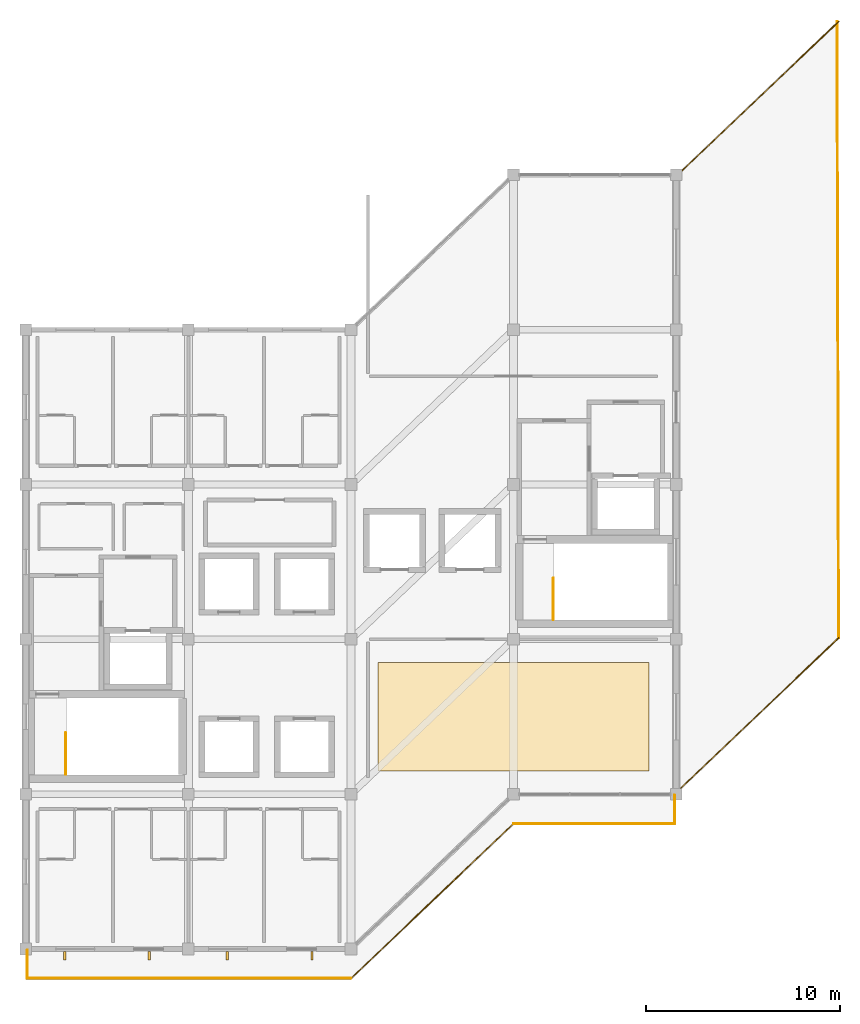
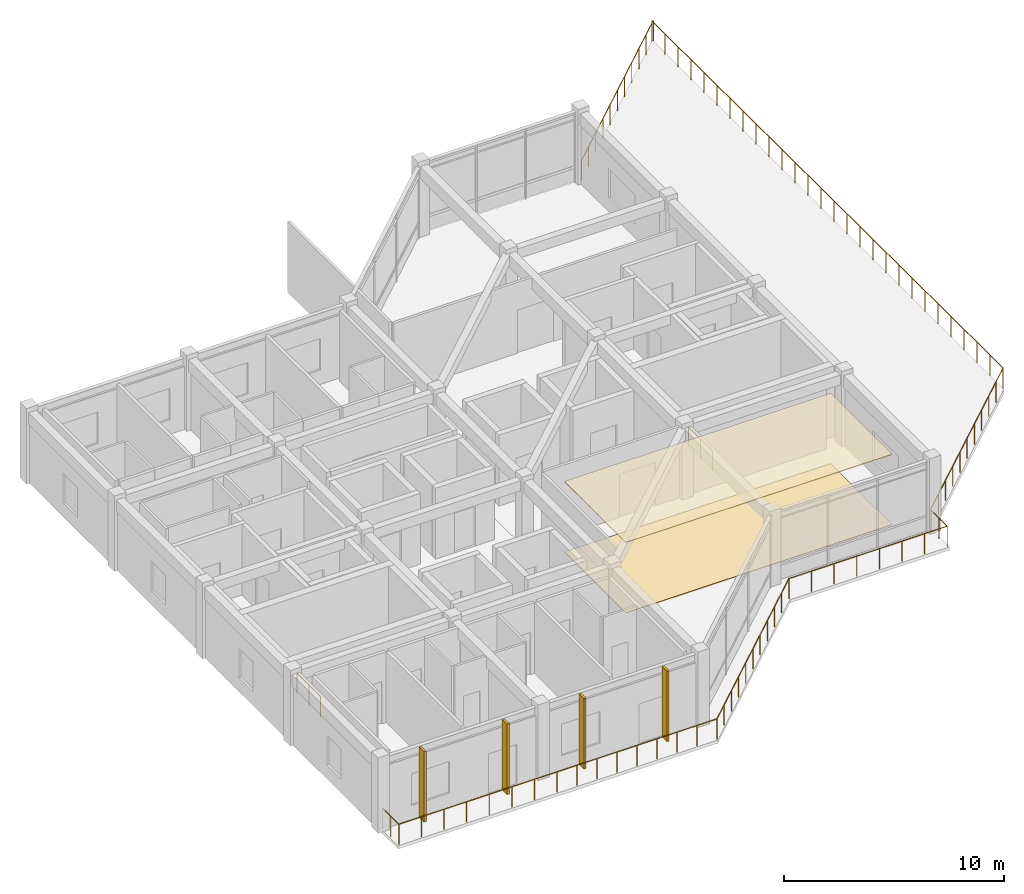
# One storey, part 11 of 11: 11 railings, 4 shading devices, 2 coverings.
"""IFC4 building model written with IfcOpenShell, lengths in metres."""

import ifcopenshell
import ifcopenshell.guid

model = None  # the IFC model being written
_history = None  # IfcOwnerHistory: only IFC2X3 demands one
_inside = {}  # id of a spatial element -> (the spatial element, [elements in it])
_under = {}  # id of a project, library or spatial element -> (it, [spatial elements below it])
_declared = {}  # id of a project -> (the project, [libraries it declares])
_typed = {}  # id of a type object -> (the type object, [elements of that type])
_made_of = {}  # id of a material, layer set ... -> (it, [elements and type objects made of it])


def new_model(schema):
    """Start an empty IFC model of exactly this schema.

    Asked for "IFC4X3", IfcOpenShell would pick the latest addendum, in which some entities
    have other attributes; the version numbers below select the first issue.
    IFC2X3 requires an IfcOwnerHistory on every rooted entity: one is made here for all.
    """
    global model, _history
    if schema == "IFC4X3":
        model = ifcopenshell.file(schema_version=(4, 3, 0, 0))
    else:
        model = ifcopenshell.file(schema=schema)
    _inside.clear()
    _under.clear()
    _declared.clear()
    _typed.clear()
    _made_of.clear()
    _history = None
    if model.schema == "IFC2X3":
        org = make("IfcOrganization", Name="unknown")
        user = make(
            "IfcPersonAndOrganization",
            ThePerson=make("IfcPerson", FamilyName="unknown"),
            TheOrganization=org,
        )
        app = make(
            "IfcApplication",
            ApplicationDeveloper=org,
            Version="unknown",
            ApplicationFullName="unknown",
            ApplicationIdentifier="unknown",
        )
        _history = make(
            "IfcOwnerHistory",
            OwningUser=user,
            OwningApplication=app,
            ChangeAction="ADDED",
            CreationDate=0,
        )
    return model


def make(cls, **values):
    """One entity of the class cls with the attributes given. An attribute that is None is left unset."""
    return model.create_entity(
        cls, **{name: value for name, value in values.items() if value is not None}
    )


def rooted(cls, **values):
    """An entity with a GlobalId (a new one), such as an element, a storey or a relation."""
    return make(cls, GlobalId=ifcopenshell.guid.new(), OwnerHistory=_history, **values)


def si_unit(unit_type, name, prefix=None):
    """IfcSIUnit, for example si_unit("LENGTHUNIT", "METRE", prefix="MILLI")."""
    return make("IfcSIUnit", UnitType=unit_type, Prefix=prefix, Name=name)


def assignment(units):
    """IfcUnitAssignment: the units of a project."""
    return None if units is None else make("IfcUnitAssignment", Units=units)


def point(xyz):
    """IfcCartesianPoint."""
    return None if xyz is None else make("IfcCartesianPoint", Coordinates=xyz)


def direction(xyz):
    """IfcDirection."""
    return None if xyz is None else make("IfcDirection", DirectionRatios=xyz)


def frame(location, z_axis=None, x_axis=None):
    """IfcAxis2Placement3D, a coordinate frame: its origin and axes. An axis left out is left unset."""
    return make(
        "IfcAxis2Placement3D",
        Location=point(location),
        Axis=direction(z_axis),
        RefDirection=direction(x_axis),
    )


def frame_2d(location, x_axis=None):
    """IfcAxis2Placement2D, a coordinate frame in the plane: its origin and x axis."""
    return make(
        "IfcAxis2Placement2D", Location=point(location), RefDirection=direction(x_axis)
    )


def origin():
    """The frame at (0, 0, 0) with its axes left unset."""
    return frame((0.0, 0.0, 0.0))


def origin_2d():
    """The frame at (0, 0) in the plane with its x axis left unset."""
    return frame_2d((0.0, 0.0))


def place(relative_to, where):
    """IfcLocalPlacement: puts the frame where relative to a parent placement (None: the world)."""
    return make(
        "IfcLocalPlacement", PlacementRelTo=relative_to, RelativePlacement=where
    )


def context(
    kind, dimensions, precision=None, world=None, true_north=None, identifier=None
):
    """IfcGeometricRepresentationContext, for example the 3D "Model" context."""
    return make(
        "IfcGeometricRepresentationContext",
        ContextIdentifier=identifier,
        ContextType=kind,
        CoordinateSpaceDimension=dimensions,
        Precision=precision,
        WorldCoordinateSystem=world,
        TrueNorth=true_north,
    )


def subcontext(parent, identifier, kind, view, scale=None):
    """IfcGeometricRepresentationSubContext, for example "Body" below "Model"."""
    return make(
        "IfcGeometricRepresentationSubContext",
        ContextIdentifier=identifier,
        ContextType=kind,
        ParentContext=parent,
        TargetScale=scale,
        TargetView=view,
    )


def project(units=None, contexts=None):
    """IfcProject with its units and contexts."""
    return rooted(
        "IfcProject",
        Name="project",
        RepresentationContexts=contexts,
        UnitsInContext=assignment(units),
    )


def spatial(cls, under=None, at=None, **own):
    """A site, building, storey or space (cls), placed at a placement, below another one or the project."""
    s = rooted(cls, ObjectPlacement=at, **own)
    if under is not None:
        _under.setdefault(under.id(), (under, []))[1].append(s)
    return s


def polyline(points):
    """IfcPolyline through the points."""
    return make("IfcPolyline", Points=[point(p) for p in points])


def profile(cls, at=None, kind="AREA", **sizes):
    """A parametric profile (cls). Its sizes go by their IFC names, for example OverallWidth=200.0."""
    return make(cls, ProfileType=kind, Position=at, **sizes)


def rectangle(**sizes):
    """IfcRectangleProfileDef."""
    return profile("IfcRectangleProfileDef", **sizes)


def circle(**sizes):
    """IfcCircleProfileDef."""
    return profile("IfcCircleProfileDef", **sizes)


def outline(outer, holes=None, kind="AREA"):
    """IfcArbitraryClosedProfileDef: a profile drawn as a closed curve; with holes, ...WithVoids."""
    if holes is None:
        return make("IfcArbitraryClosedProfileDef", ProfileType=kind, OuterCurve=outer)
    return make(
        "IfcArbitraryProfileDefWithVoids",
        ProfileType=kind,
        OuterCurve=outer,
        InnerCurves=holes,
    )


def extrude(swept, where, along, depth):
    """IfcExtrudedAreaSolid: the profile swept, set in the frame where, extruded along a direction by depth."""
    return make(
        "IfcExtrudedAreaSolid",
        SweptArea=swept,
        Position=where,
        ExtrudedDirection=direction(along),
        Depth=depth,
    )


def shape(context_of_items, identifier, shape_type, items):
    """IfcShapeRepresentation: the items that make up one representation, for example the "Body"."""
    return make(
        "IfcShapeRepresentation",
        ContextOfItems=context_of_items,
        RepresentationIdentifier=identifier,
        RepresentationType=shape_type,
        Items=items,
    )


def material(Name=None, Category=None):
    """IfcMaterial."""
    return make("IfcMaterial", Name=Name, Category=Category)


def layer(
    of_material, thickness, ventilated=None, Name=None, Category=None, Priority=None
):
    """IfcMaterialLayer: one layer of a wall or slab, of a material (None: an air gap)."""
    return make(
        "IfcMaterialLayer",
        Material=of_material,
        LayerThickness=thickness,
        IsVentilated=ventilated,
        Name=Name,
        Category=Category,
        Priority=Priority,
    )


def layer_set(layers, Name=None):
    """IfcMaterialLayerSet."""
    return make("IfcMaterialLayerSet", MaterialLayers=layers, LayerSetName=Name)


def made_of(thing, what):
    """Note that an element or type object is made of a material, layer set ...; save() writes the relation."""
    if what is not None:
        _made_of.setdefault(what.id(), (what, []))[1].append(thing)
    return thing


def type_object(cls, material=None, **own):
    """A type object (cls), such as IfcWallType, which elements share."""
    return made_of(rooted(cls, **own), material)


def element(
    cls,
    number,
    at=None,
    inside=None,
    cuts=None,
    type_object=None,
    material=None,
    context=None,
    identifier="Body",
    shape_type=None,
    held_by="IfcProductDefinitionShape",
    body=None,
    shapes=None,
    **own,
):
    """One element of the class cls, such as IfcWall. Its Tag is "e" and its number.

    at: its placement. inside: the storey or other place that contains it. cuts: it is an
    opening in that element (IfcRelVoidsElement). A single representation is given by context,
    identifier, shape_type and body (its items); several are given by shapes. held_by: the class
    of the entity that holds the representations. save() writes the other relations.
    """
    e = rooted(cls, Tag="e%d" % number, ObjectPlacement=at, **own)
    if body is not None:
        shapes = [shape(context, identifier, shape_type, body)]
    if shapes is not None:
        e.Representation = make(held_by, Representations=shapes)
    if inside is not None:
        _inside.setdefault(inside.id(), (inside, []))[1].append(e)
    if cuts is not None:
        rooted(
            "IfcRelVoidsElement", RelatingBuildingElement=cuts, RelatedOpeningElement=e
        )
    if type_object is not None:
        _typed.setdefault(type_object.id(), (type_object, []))[1].append(e)
    return made_of(e, material)


def aggregate(whole, parts):
    """IfcRelAggregates: a whole, such as a stair, and the parts it consists of."""
    return rooted("IfcRelAggregates", RelatingObject=whole, RelatedObjects=parts)


def save(model, path):
    """Write the relations noted so far, then the file.

    IfcRelAggregates (storeys below a building ...), IfcRelContainedInSpatialStructure (elements
    in a storey), IfcRelDefinesByType, IfcRelAssociatesMaterial and IfcRelDeclares: one each for
    every whole, place, type object, material and project.
    """
    for whole, parts in _under.values():
        aggregate(whole, parts)
    for where, things in _inside.values():
        rooted(
            "IfcRelContainedInSpatialStructure",
            RelatedElements=things,
            RelatingStructure=where,
        )
    for kind, things in _typed.values():
        rooted("IfcRelDefinesByType", RelatedObjects=things, RelatingType=kind)
    for what, things in _made_of.values():
        rooted("IfcRelAssociatesMaterial", RelatedObjects=things, RelatingMaterial=what)
    for by, libraries in _declared.values():
        rooted("IfcRelDeclares", RelatingContext=by, RelatedDefinitions=libraries)
    model.write(path)


model = new_model("IFC4")

# Units and contexts
model_context = context("Model", 3, precision=1e-05, world=origin(), true_north=direction((0.0, 1.0)))
body_context = subcontext(model_context, "Body", "Model", "MODEL_VIEW")
ifc_project = project(units=[si_unit("LENGTHUNIT", "METRE"), si_unit("AREAUNIT", "SQUARE_METRE"), si_unit("VOLUMEUNIT", "CUBIC_METRE"), si_unit("PLANEANGLEUNIT", "RADIAN"), si_unit("MASSUNIT", "GRAM", prefix="KILO")], contexts=[model_context])

# Site, building, storey
site_placement = place(None, origin())
site = spatial("IfcSite", under=ifc_project, at=site_placement, CompositionType="ELEMENT")
building_placement = place(site_placement, origin())
building = spatial("IfcBuilding", under=site, at=building_placement, Name="Naruveol Harbour Congress Hotel", CompositionType="ELEMENT")
storey_placement = place(building_placement, frame((0.0, 0.0, 47.39990234375)))
storey = spatial("IfcBuildingStorey", under=building, at=storey_placement, Name="L11", CompositionType="ELEMENT", Elevation=47.39990234375)

# Railings
ifc_material_1 = material(Name="Tempered Laminated Safety Glass & Stainless Steel", Category="steel")
ifc_layer_1 = layer(ifc_material_1, 0.06005859375)
ifc_layer_set_1 = layer_set([ifc_layer_1], Name="Tempered Laminated Safety Glass & Stainless Steel")
railing_type_1 = type_object("IfcRailingType", Name="LAMINATED GLASS TERRACE BALUSTRADE 1150", PredefinedType="BALUSTRADE", material=ifc_layer_set_1)
railing_1_placement = place(storey_placement, frame((126.080078125, -0.06005859375, 0.0)))
element("IfcRailing", 1, at=railing_1_placement, inside=storey, type_object=railing_type_1, Name="L11 Harbour balcony balustrade #138", PredefinedType="BALUSTRADE", context=body_context, shape_type="SweptSolid", body=[
    extrude(circle(Radius=0.02392578125, at=origin_2d()), frame((0.0, 0.0, 1.1259765625), z_axis=(0.0, -1.0, 0.0), x_axis=(1.0, 0.0, 0.0)), (0.0, 0.0, 1.0), 1.4599609375),
    extrude(circle(Radius=0.02099609375, at=origin_2d()), origin(), (0.0, 0.0, 1.0), 1.101806640625),
    extrude(circle(Radius=0.02099609375, at=origin_2d()), frame((0.0, -0.72998046875, 0.0)), (0.0, 0.0, 1.0), 1.101806640625),
    extrude(circle(Radius=0.02099609375, at=origin_2d()), frame((0.0, -1.4599609375, 0.0)), (0.0, 0.0, 1.0), 1.101806640625),
])
railing_2_placement = place(storey_placement, frame((126.080078125, -1.52001953125, 0.0)))
element("IfcRailing", 2, at=railing_2_placement, inside=storey, type_object=railing_type_1, Name="L11 Harbour balcony balustrade #139", PredefinedType="BALUSTRADE", context=body_context, shape_type="SweptSolid", body=[
    extrude(circle(Radius=0.02392578125, at=origin_2d()), frame((0.0, 0.0, 1.1259765625), z_axis=(1.0, 0.0, 0.0), x_axis=(0.0, 1.0, 0.0)), (0.0, 0.0, 1.0), 8.31982421875),
    extrude(circle(Radius=0.02099609375, at=origin_2d()), origin(), (0.0, 0.0, 1.0), 1.101806640625),
    extrude(circle(Radius=0.02099609375, at=origin_2d()), frame((1.1884765625, 0.0, 0.0)), (0.0, 0.0, 1.0), 1.101806640625),
    extrude(circle(Radius=0.02099609375, at=origin_2d()), frame((2.377197265625, 0.0, 0.0)), (0.0, 0.0, 1.0), 1.101806640625),
    extrude(circle(Radius=0.02099609375, at=origin_2d()), frame((3.565673828125, 0.0, 0.0)), (0.0, 0.0, 1.0), 1.101806640625),
    extrude(circle(Radius=0.02099609375, at=origin_2d()), frame((4.754150390625, 0.0, 0.0)), (0.0, 0.0, 1.0), 1.101806640625),
    extrude(circle(Radius=0.02099609375, at=origin_2d()), frame((5.942626953125, 0.0, 0.0)), (0.0, 0.0, 1.0), 1.101806640625),
    extrude(circle(Radius=0.02099609375, at=origin_2d()), frame((7.13134765625, 0.0, 0.0)), (0.0, 0.0, 1.0), 1.101806640625),
    extrude(circle(Radius=0.02099609375, at=origin_2d()), frame((8.31982421875, 0.0, 0.0)), (0.0, 0.0, 1.0), 1.101806640625),
])
railing_3_placement = place(storey_placement, frame((134.39990234375, -1.52001953125, 0.0)))
element("IfcRailing", 3, at=railing_3_placement, inside=storey, type_object=railing_type_1, Name="L11 Harbour balcony balustrade #140", PredefinedType="BALUSTRADE", context=body_context, shape_type="SweptSolid", body=[
    extrude(circle(Radius=0.02392578125, at=origin_2d()), frame((0.0, 0.0, 1.1259765625), z_axis=(1.0, 0.0, 0.0), x_axis=(0.0, 1.0, 0.0)), (0.0, 0.0, 1.0), 8.400146484375),
    extrude(circle(Radius=0.02099609375, at=origin_2d()), origin(), (0.0, 0.0, 1.0), 1.101806640625),
    extrude(circle(Radius=0.02099609375, at=origin_2d()), frame((1.050048828125, 0.0, 0.0)), (0.0, 0.0, 1.0), 1.101806640625),
    extrude(circle(Radius=0.02099609375, at=origin_2d()), frame((2.10009765625, 0.0, 0.0)), (0.0, 0.0, 1.0), 1.101806640625),
    extrude(circle(Radius=0.02099609375, at=origin_2d()), frame((3.150146484375, 0.0, 0.0)), (0.0, 0.0, 1.0), 1.101806640625),
    extrude(circle(Radius=0.02099609375, at=origin_2d()), frame((4.2001953125, 0.0, 0.0)), (0.0, 0.0, 1.0), 1.101806640625),
    extrude(circle(Radius=0.02099609375, at=origin_2d()), frame((5.25, 0.0, 0.0)), (0.0, 0.0, 1.0), 1.101806640625),
    extrude(circle(Radius=0.02099609375, at=origin_2d()), frame((6.300048828125, 0.0, 0.0)), (0.0, 0.0, 1.0), 1.101806640625),
    extrude(circle(Radius=0.02099609375, at=origin_2d()), frame((7.35009765625, 0.0, 0.0)), (0.0, 0.0, 1.0), 1.101806640625),
    extrude(circle(Radius=0.02099609375, at=origin_2d()), frame((8.400146484375, 0.0, 0.0)), (0.0, 0.0, 1.0), 1.101806640625),
])
railing_4_placement = place(storey_placement, frame((142.800048828125, -1.52001953125, 0.0)))
element("IfcRailing", 4, at=railing_4_placement, inside=storey, type_object=railing_type_1, Name="L11 Harbour balcony balustrade #141", PredefinedType="BALUSTRADE", context=body_context, shape_type="SweptSolid", body=[
    extrude(circle(Radius=0.02392578125, at=origin_2d()), frame((0.0, 0.0, 1.1259765625), z_axis=(0.724133926887, 0.689659376744, 0.0), x_axis=(-0.689659376744, 0.724133926887, 0.0)), (0.0, 0.0, 1.0), 11.599853515625),
    extrude(circle(Radius=0.02099609375, at=origin_2d()), origin(), (0.0, 0.0, 1.0), 1.101806640625),
    extrude(circle(Radius=0.02099609375, at=origin_2d()), frame((0.840087890625, 0.800048828125, 0.0)), (0.0, 0.0, 1.0), 1.101806640625),
    extrude(circle(Radius=0.02099609375, at=origin_2d()), frame((1.679931640625, 1.60009765625, 0.0)), (0.0, 0.0, 1.0), 1.101806640625),
    extrude(circle(Radius=0.02099609375, at=origin_2d()), frame((2.52001953125, 2.39990234375, 0.0)), (0.0, 0.0, 1.0), 1.101806640625),
    extrude(circle(Radius=0.02099609375, at=origin_2d()), frame((3.35986328125, 3.199951171875, 0.0)), (0.0, 0.0, 1.0), 1.101806640625),
    extrude(circle(Radius=0.02099609375, at=origin_2d()), frame((4.199951171875, 4.0, 0.0)), (0.0, 0.0, 1.0), 1.101806640625),
    extrude(circle(Radius=0.02099609375, at=origin_2d()), frame((5.0400390625, 4.800048828125, 0.0)), (0.0, 0.0, 1.0), 1.101806640625),
    extrude(circle(Radius=0.02099609375, at=origin_2d()), frame((5.8798828125, 5.60009765625, 0.0)), (0.0, 0.0, 1.0), 1.101806640625),
    extrude(circle(Radius=0.02099609375, at=origin_2d()), frame((6.719970703125, 6.39990234375, 0.0)), (0.0, 0.0, 1.0), 1.101806640625),
    extrude(circle(Radius=0.02099609375, at=origin_2d()), frame((7.559814453125, 7.199951171875, 0.0)), (0.0, 0.0, 1.0), 1.101806640625),
    extrude(circle(Radius=0.02099609375, at=origin_2d()), frame((8.39990234375, 8.0, 0.0)), (0.0, 0.0, 1.0), 1.101806640625),
])
railing_5_placement = place(storey_placement, frame((151.199951171875, 6.47998046875, 0.0)))
element("IfcRailing", 5, at=railing_5_placement, inside=storey, type_object=railing_type_1, Name="L11 Harbour balcony balustrade #142", PredefinedType="BALUSTRADE", context=body_context, shape_type="SweptSolid", body=[
    extrude(circle(Radius=0.02392578125, at=origin_2d()), frame((0.0, 0.0, 1.1259765625), z_axis=(1.0, 0.0, 0.0), x_axis=(0.0, 1.0, 0.0)), (0.0, 0.0, 1.0), 8.320068359375),
    extrude(circle(Radius=0.02099609375, at=origin_2d()), origin(), (0.0, 0.0, 1.0), 1.101806640625),
    extrude(circle(Radius=0.02099609375, at=origin_2d()), frame((1.1884765625, 0.0, 0.0)), (0.0, 0.0, 1.0), 1.101806640625),
    extrude(circle(Radius=0.02099609375, at=origin_2d()), frame((2.377197265625, 0.0, 0.0)), (0.0, 0.0, 1.0), 1.101806640625),
    extrude(circle(Radius=0.02099609375, at=origin_2d()), frame((3.565673828125, 0.0, 0.0)), (0.0, 0.0, 1.0), 1.101806640625),
    extrude(circle(Radius=0.02099609375, at=origin_2d()), frame((4.75439453125, 0.0, 0.0)), (0.0, 0.0, 1.0), 1.101806640625),
    extrude(circle(Radius=0.02099609375, at=origin_2d()), frame((5.94287109375, 0.0, 0.0)), (0.0, 0.0, 1.0), 1.101806640625),
    extrude(circle(Radius=0.02099609375, at=origin_2d()), frame((7.131591796875, 0.0, 0.0)), (0.0, 0.0, 1.0), 1.101806640625),
    extrude(circle(Radius=0.02099609375, at=origin_2d()), frame((8.320068359375, 0.0, 0.0)), (0.0, 0.0, 1.0), 1.101806640625),
])
railing_6_placement = place(storey_placement, frame((159.52001953125, 6.47998046875, 0.0)))
element("IfcRailing", 6, at=railing_6_placement, inside=storey, type_object=railing_type_1, Name="L11 Harbour balcony balustrade #143", PredefinedType="BALUSTRADE", context=body_context, shape_type="SweptSolid", body=[
    extrude(circle(Radius=0.02392578125, at=origin_2d()), frame((0.0, 0.0, 1.1259765625), z_axis=(0.0, 1.0, 0.0), x_axis=(-1.0, 0.0, 0.0)), (0.0, 0.0, 1.0), 1.4599609375),
    extrude(circle(Radius=0.02099609375, at=origin_2d()), origin(), (0.0, 0.0, 1.0), 1.101806640625),
    extrude(circle(Radius=0.02099609375, at=origin_2d()), frame((0.0, 0.72998046875, 0.0)), (0.0, 0.0, 1.0), 1.101806640625),
    extrude(circle(Radius=0.02099609375, at=origin_2d()), frame((0.0, 1.4599609375, 0.0)), (0.0, 0.0, 1.0), 1.101806640625),
])
railing_7_placement = place(storey_placement, frame((159.60009765625, 8.080078125, 0.0)))
element("IfcRailing", 7, at=railing_7_placement, inside=storey, type_object=railing_type_1, Name="L11 East Harbour Garden Terrace balustrade #144", PredefinedType="BALUSTRADE", context=body_context, shape_type="SweptSolid", body=[
    extrude(circle(Radius=0.02392578125, at=origin_2d()), frame((0.0, 0.0, 1.1259765625), z_axis=(0.724133926887, 0.689659376744, 0.0), x_axis=(-0.689659376744, 0.724133926887, 0.0)), (0.0, 0.0, 1.0), 11.599853515625),
    extrude(circle(Radius=0.02099609375, at=origin_2d()), origin(), (0.0, 0.0, 1.0), 1.101806640625),
    extrude(circle(Radius=0.02099609375, at=origin_2d()), frame((0.840087890625, 0.800048828125, 0.0)), (0.0, 0.0, 1.0), 1.101806640625),
    extrude(circle(Radius=0.02099609375, at=origin_2d()), frame((1.679931640625, 1.60009765625, 0.0)), (0.0, 0.0, 1.0), 1.101806640625),
    extrude(circle(Radius=0.02099609375, at=origin_2d()), frame((2.52001953125, 2.39990234375, 0.0)), (0.0, 0.0, 1.0), 1.101806640625),
    extrude(circle(Radius=0.02099609375, at=origin_2d()), frame((3.35986328125, 3.199951171875, 0.0)), (0.0, 0.0, 1.0), 1.101806640625),
    extrude(circle(Radius=0.02099609375, at=origin_2d()), frame((4.199951171875, 4.0, 0.0)), (0.0, 0.0, 1.0), 1.101806640625),
    extrude(circle(Radius=0.02099609375, at=origin_2d()), frame((5.0400390625, 4.800048828125, 0.0)), (0.0, 0.0, 1.0), 1.101806640625),
    extrude(circle(Radius=0.02099609375, at=origin_2d()), frame((5.8798828125, 5.60009765625, 0.0)), (0.0, 0.0, 1.0), 1.101806640625),
    extrude(circle(Radius=0.02099609375, at=origin_2d()), frame((6.719970703125, 6.39990234375, 0.0)), (0.0, 0.0, 1.0), 1.101806640625),
    extrude(circle(Radius=0.02099609375, at=origin_2d()), frame((7.559814453125, 7.199951171875, 0.0)), (0.0, 0.0, 1.0), 1.101806640625),
    extrude(circle(Radius=0.02099609375, at=origin_2d()), frame((8.39990234375, 8.0, 0.0)), (0.0, 0.0, 1.0), 1.101806640625),
])
railing_8_placement = place(storey_placement, frame((168.0, 16.080078125, 0.0)))
element("IfcRailing", 8, at=railing_8_placement, inside=storey, type_object=railing_type_1, Name="L11 East Harbour Garden Terrace balustrade #145", PredefinedType="BALUSTRADE", context=body_context, shape_type="SweptSolid", body=[
    extrude(circle(Radius=0.02392578125, at=origin_2d()), frame((0.0, 0.0, 1.1259765625), z_axis=(-0.002515020877, 0.99999683733, 0.0), x_axis=(-0.99999683733, -0.002515020877, 0.0)), (0.0, 0.0, 1.0), 31.83984375),
    extrude(circle(Radius=0.02099609375, at=origin_2d()), origin(), (0.0, 0.0, 1.0), 1.101806640625),
    extrude(circle(Radius=0.02099609375, at=origin_2d()), frame((-0.0029296875, 1.17919921875, 0.0)), (0.0, 0.0, 1.0), 1.101806640625),
    extrude(circle(Radius=0.02099609375, at=origin_2d()), frame((-0.005859375, 2.3583984375, 0.0)), (0.0, 0.0, 1.0), 1.101806640625),
    extrude(circle(Radius=0.02099609375, at=origin_2d()), frame((-0.0087890625, 3.537841796875, 0.0)), (0.0, 0.0, 1.0), 1.101806640625),
    extrude(circle(Radius=0.02099609375, at=origin_2d()), frame((-0.011962890625, 4.717041015625, 0.0)), (0.0, 0.0, 1.0), 1.101806640625),
    extrude(circle(Radius=0.02099609375, at=origin_2d()), frame((-0.014892578125, 5.896240234375, 0.0)), (0.0, 0.0, 1.0), 1.101806640625),
    extrude(circle(Radius=0.02099609375, at=origin_2d()), frame((-0.017822265625, 7.075439453125, 0.0)), (0.0, 0.0, 1.0), 1.101806640625),
    extrude(circle(Radius=0.02099609375, at=origin_2d()), frame((-0.020751953125, 8.2548828125, 0.0)), (0.0, 0.0, 1.0), 1.101806640625),
    extrude(circle(Radius=0.02099609375, at=origin_2d()), frame((-0.023681640625, 9.43408203125, 0.0)), (0.0, 0.0, 1.0), 1.101806640625),
    extrude(circle(Radius=0.02099609375, at=origin_2d()), frame((-0.026611328125, 10.61328125, 0.0)), (0.0, 0.0, 1.0), 1.101806640625),
    extrude(circle(Radius=0.02099609375, at=origin_2d()), frame((-0.029541015625, 11.79248046875, 0.0)), (0.0, 0.0, 1.0), 1.101806640625),
    extrude(circle(Radius=0.02099609375, at=origin_2d()), frame((-0.03271484375, 12.9716796875, 0.0)), (0.0, 0.0, 1.0), 1.101806640625),
    extrude(circle(Radius=0.02099609375, at=origin_2d()), frame((-0.03564453125, 14.151123046875, 0.0)), (0.0, 0.0, 1.0), 1.101806640625),
    extrude(circle(Radius=0.02099609375, at=origin_2d()), frame((-0.03857421875, 15.330322265625, 0.0)), (0.0, 0.0, 1.0), 1.101806640625),
    extrude(circle(Radius=0.02099609375, at=origin_2d()), frame((-0.04150390625, 16.509521484375, 0.0)), (0.0, 0.0, 1.0), 1.101806640625),
    extrude(circle(Radius=0.02099609375, at=origin_2d()), frame((-0.04443359375, 17.688720703125, 0.0)), (0.0, 0.0, 1.0), 1.101806640625),
    extrude(circle(Radius=0.02099609375, at=origin_2d()), frame((-0.04736328125, 18.8681640625, 0.0)), (0.0, 0.0, 1.0), 1.101806640625),
    extrude(circle(Radius=0.02099609375, at=origin_2d()), frame((-0.050537109375, 20.04736328125, 0.0)), (0.0, 0.0, 1.0), 1.101806640625),
    extrude(circle(Radius=0.02099609375, at=origin_2d()), frame((-0.053466796875, 21.2265625, 0.0)), (0.0, 0.0, 1.0), 1.101806640625),
    extrude(circle(Radius=0.02099609375, at=origin_2d()), frame((-0.056396484375, 22.40576171875, 0.0)), (0.0, 0.0, 1.0), 1.101806640625),
    extrude(circle(Radius=0.02099609375, at=origin_2d()), frame((-0.059326171875, 23.5849609375, 0.0)), (0.0, 0.0, 1.0), 1.101806640625),
    extrude(circle(Radius=0.02099609375, at=origin_2d()), frame((-0.062255859375, 24.764404296875, 0.0)), (0.0, 0.0, 1.0), 1.101806640625),
    extrude(circle(Radius=0.02099609375, at=origin_2d()), frame((-0.065185546875, 25.943603515625, 0.0)), (0.0, 0.0, 1.0), 1.101806640625),
    extrude(circle(Radius=0.02099609375, at=origin_2d()), frame((-0.068115234375, 27.122802734375, 0.0)), (0.0, 0.0, 1.0), 1.101806640625),
    extrude(circle(Radius=0.02099609375, at=origin_2d()), frame((-0.0712890625, 28.302001953125, 0.0)), (0.0, 0.0, 1.0), 1.101806640625),
    extrude(circle(Radius=0.02099609375, at=origin_2d()), frame((-0.07421875, 29.4814453125, 0.0)), (0.0, 0.0, 1.0), 1.101806640625),
    extrude(circle(Radius=0.02099609375, at=origin_2d()), frame((-0.0771484375, 30.66064453125, 0.0)), (0.0, 0.0, 1.0), 1.101806640625),
    extrude(circle(Radius=0.02099609375, at=origin_2d()), frame((-0.080078125, 31.83984375, 0.0)), (0.0, 0.0, 1.0), 1.101806640625),
])
railing_9_placement = place(storey_placement, frame((168.0, 47.919921875, 0.0)))
element("IfcRailing", 9, at=railing_9_placement, inside=storey, type_object=railing_type_1, Name="L11 East Harbour Garden Terrace balustrade #146", PredefinedType="BALUSTRADE", context=body_context, shape_type="SweptSolid", body=[
    extrude(circle(Radius=0.02392578125, at=origin_2d()), frame((0.0, 0.0, 1.1259765625), z_axis=(-0.724133926887, -0.689659376744, 0.0), x_axis=(0.689659376744, -0.724133926887, 0.0)), (0.0, 0.0, 1.0), 11.599853515625),
    extrude(circle(Radius=0.02099609375, at=origin_2d()), origin(), (0.0, 0.0, 1.0), 1.101806640625),
    extrude(circle(Radius=0.02099609375, at=origin_2d()), frame((-0.840087890625, -0.800048828125, 0.0)), (0.0, 0.0, 1.0), 1.101806640625),
    extrude(circle(Radius=0.02099609375, at=origin_2d()), frame((-1.679931640625, -1.60009765625, 0.0)), (0.0, 0.0, 1.0), 1.101806640625),
    extrude(circle(Radius=0.02099609375, at=origin_2d()), frame((-2.52001953125, -2.39990234375, 0.0)), (0.0, 0.0, 1.0), 1.101806640625),
    extrude(circle(Radius=0.02099609375, at=origin_2d()), frame((-3.35986328125, -3.199951171875, 0.0)), (0.0, 0.0, 1.0), 1.101806640625),
    extrude(circle(Radius=0.02099609375, at=origin_2d()), frame((-4.199951171875, -4.0, 0.0)), (0.0, 0.0, 1.0), 1.101806640625),
    extrude(circle(Radius=0.02099609375, at=origin_2d()), frame((-5.0400390625, -4.800048828125, 0.0)), (0.0, 0.0, 1.0), 1.101806640625),
    extrude(circle(Radius=0.02099609375, at=origin_2d()), frame((-5.8798828125, -5.60009765625, 0.0)), (0.0, 0.0, 1.0), 1.101806640625),
    extrude(circle(Radius=0.02099609375, at=origin_2d()), frame((-6.719970703125, -6.39990234375, 0.0)), (0.0, 0.0, 1.0), 1.101806640625),
    extrude(circle(Radius=0.02099609375, at=origin_2d()), frame((-7.559814453125, -7.199951171875, 0.0)), (0.0, 0.0, 1.0), 1.101806640625),
    extrude(circle(Radius=0.02099609375, at=origin_2d()), frame((-8.39990234375, -8.0, 0.0)), (0.0, 0.0, 1.0), 1.101806640625),
])

# Covering
ifc_material_2 = material(Name="Polished Terrazzo & Engineered Oak", Category="stone")
ifc_layer_2 = layer(ifc_material_2, 0.02490234375)
ifc_layer_set_2 = layer_set([ifc_layer_2], Name="Polished Terrazzo & Engineered Oak")
covering_type_1 = type_object("IfcCoveringType", Name="POLISHED TERRAZZO AND OAK FLOORING 25", PredefinedType="FLOORING", material=ifc_layer_set_2)
covering_1_placement = place(storey_placement, origin())
element("IfcCovering", 10, at=covering_1_placement, inside=storey, type_object=covering_type_1, Name="Sky Panorama Restaurant Slatted Flooring", PredefinedType="FLOORING", context=body_context, shape_type="SweptSolid", body=[
    extrude(outline(polyline([(144.199951171875, 9.199951171875), (158.199951171875, 9.199951171875), (158.199951171875, 14.800048828125), (144.199951171875, 14.800048828125), (144.199951171875, 9.199951171875)])), origin(), (0.0, 0.0, 1.0), 0.025146484375),
])

# Shading devices
ifc_material_3 = material(Name="Precast concrete C40/50", Category="concrete")
shading_device_type = type_object("IfcShadingDeviceType", Name="PRECAST VERTICAL BRISE SOLEIL FIN 120X450", PredefinedType="JALOUSIE", material=ifc_material_3)
for number, where, z_axis, x_axis, name in (
    (11, (132.384033203125, -0.340087890625, 0.000244140625), (0.0, 0.0, 1.0), (-1.0, 0.0, 0.0), "Precast brise-soleil fin BS-V450 #121"),
    (12, (128.01611328125, -0.340087890625, 0.000244140625), (0.0, 0.0, 1.0), (-1.0, 0.0, 0.0), "Precast brise-soleil fin BS-V450 #122"),
    (13, (140.783935546875, -0.340087890625, 0.000244140625), (0.0, 0.0, 1.0), (-1.0, 0.0, 0.0), "Precast brise-soleil fin BS-V450 #123"),
    (14, (136.416015625, -0.340087890625, 0.000244140625), (0.0, 0.0, 1.0), (-1.0, 0.0, 0.0), "Precast brise-soleil fin BS-V450 #124"),
):
    element("IfcShadingDevice", number, at=place(storey_placement, frame(where, z_axis=z_axis, x_axis=x_axis)), inside=storey, type_object=shading_device_type, Name=name, PredefinedType="JALOUSIE", context=body_context, shape_type="SweptSolid", body=[
        extrude(rectangle(XDim=0.1201171875, YDim=0.449951171875, at=origin_2d()), origin(), (0.0, 0.0, 1.0), 3.919921875),
    ])

# Railings
ifc_material_4 = material(Name="Steel SN490", Category="steel")
ifc_layer_3 = layer(ifc_material_4, 0.044921875)
ifc_layer_set_3 = layer_set([ifc_layer_3], Name="Steel SN490")
railing_type_2 = type_object("IfcRailingType", Name="STAIRWELL STEEL GUARDRAIL 1150", PredefinedType="GUARDRAIL", material=ifc_layer_set_3)
for number, where, name in (
    (15, (128.06005859375, 9.02001953125, 0.0), "Stair ST1 L11 top-floor well guard"),
    (16, (153.260009765625, 17.02001953125, 0.0), "Stair ST2 L11 top-floor well guard"),
):
    element("IfcRailing", number, at=place(storey_placement, frame(where)), inside=storey, type_object=railing_type_2, Name=name, PredefinedType="GUARDRAIL", context=body_context, shape_type="SweptSolid", body=[
        extrude(circle(Radius=0.02392578125, at=origin_2d()), frame((0.0, 0.0, 1.1259765625), z_axis=(0.0, 1.0, 0.0), x_axis=(-1.0, 0.0, 0.0)), (0.0, 0.0, 1.0), 2.14990234375),
        extrude(circle(Radius=0.02099609375, at=origin_2d()), origin(), (0.0, 0.0, 1.0), 1.101806640625),
        extrude(circle(Radius=0.02099609375, at=origin_2d()), frame((0.0, 1.074951171875, 0.0)), (0.0, 0.0, 1.0), 1.101806640625),
        extrude(circle(Radius=0.02099609375, at=origin_2d()), frame((0.0, 2.14990234375, 0.0)), (0.0, 0.0, 1.0), 1.101806640625),
    ])

# Covering
ifc_material_5 = material(Name="Acoustic Engineered Timber Slats", Category="wood")
ifc_layer_4 = layer(ifc_material_5, 0.034912109375)
ifc_layer_set_4 = layer_set([ifc_layer_4], Name="Acoustic Engineered Timber Slats")
covering_type_2 = type_object("IfcCoveringType", Name="SUSPENDED PERFORATED TIMBER ACOUSTIC CEILING 35", PredefinedType="CEILING", material=ifc_layer_set_4)
covering_2_placement = place(storey_placement, frame((0.0, 0.0, 3.905029296875)))
element("IfcCovering", 17, at=covering_2_placement, inside=storey, type_object=covering_type_2, Name="Sky Panorama Restaurant Slatted Ceiling", PredefinedType="CEILING", context=body_context, shape_type="SweptSolid", body=[
    extrude(outline(polyline([(144.199951171875, 9.199951171875), (158.199951171875, 9.199951171875), (158.199951171875, 14.800048828125), (144.199951171875, 14.800048828125), (144.199951171875, 9.199951171875)])), origin(), (0.0, 0.0, 1.0), 0.03515625),
])

save(model, "model.ifc")
